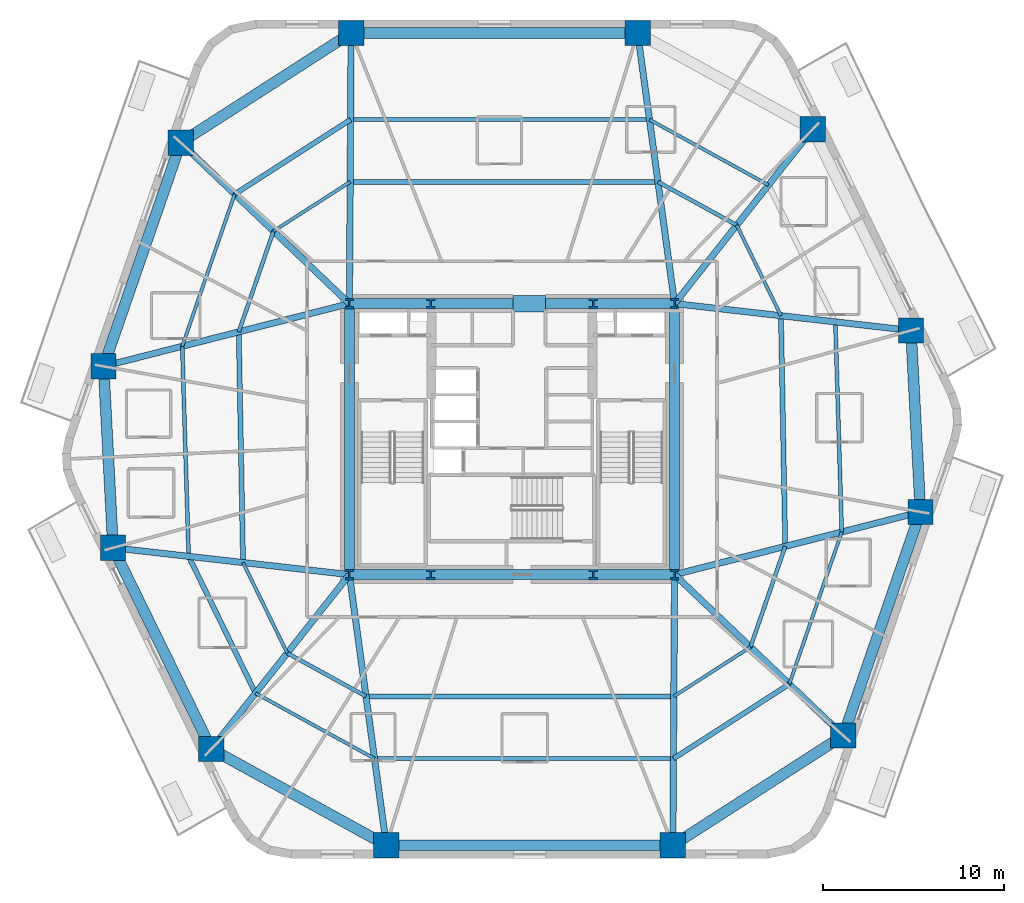
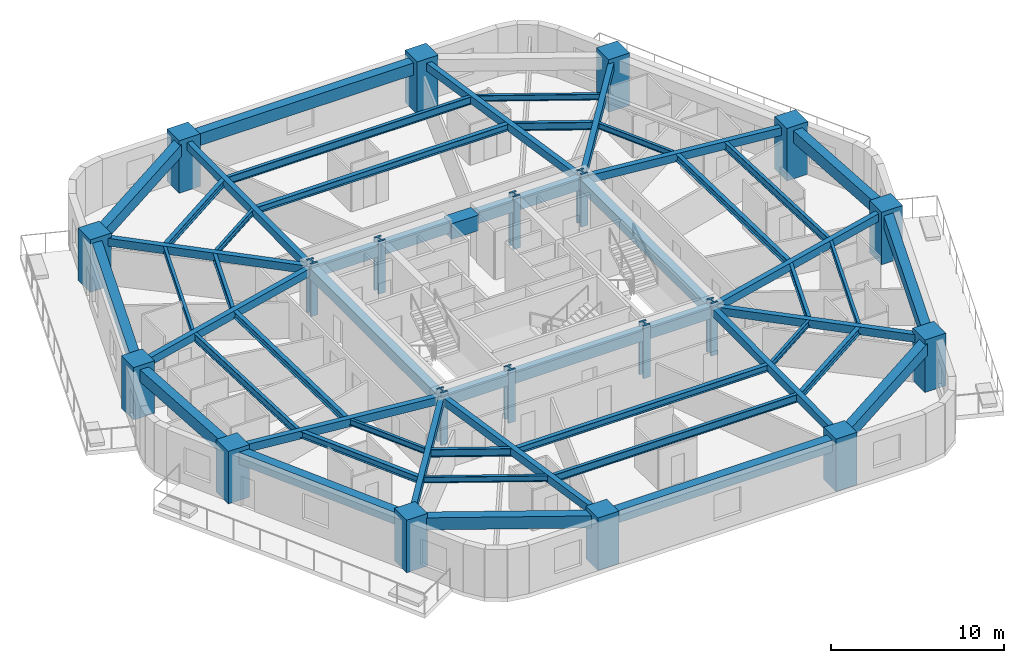
# One storey, part 1 of 10: 54 beams, 20 columns.
"""IFC4 building model written with IfcOpenShell, lengths in metres."""

import ifcopenshell
import ifcopenshell.guid

model = None  # the IFC model being written
_history = None  # IfcOwnerHistory: only IFC2X3 demands one
_inside = {}  # id of a spatial element -> (the spatial element, [elements in it])
_under = {}  # id of a project, library or spatial element -> (it, [spatial elements below it])
_declared = {}  # id of a project -> (the project, [libraries it declares])
_typed = {}  # id of a type object -> (the type object, [elements of that type])
_made_of = {}  # id of a material, layer set ... -> (it, [elements and type objects made of it])


def new_model(schema):
    """Start an empty IFC model of exactly this schema.

    Asked for "IFC4X3", IfcOpenShell would pick the latest addendum, in which some entities
    have other attributes; the version numbers below select the first issue.
    IFC2X3 requires an IfcOwnerHistory on every rooted entity: one is made here for all.
    """
    global model, _history
    if schema == "IFC4X3":
        model = ifcopenshell.file(schema_version=(4, 3, 0, 0))
    else:
        model = ifcopenshell.file(schema=schema)
    _inside.clear()
    _under.clear()
    _declared.clear()
    _typed.clear()
    _made_of.clear()
    _history = None
    if model.schema == "IFC2X3":
        org = make("IfcOrganization", Name="unknown")
        user = make(
            "IfcPersonAndOrganization",
            ThePerson=make("IfcPerson", FamilyName="unknown"),
            TheOrganization=org,
        )
        app = make(
            "IfcApplication",
            ApplicationDeveloper=org,
            Version="unknown",
            ApplicationFullName="unknown",
            ApplicationIdentifier="unknown",
        )
        _history = make(
            "IfcOwnerHistory",
            OwningUser=user,
            OwningApplication=app,
            ChangeAction="ADDED",
            CreationDate=0,
        )
    return model


def make(cls, **values):
    """One entity of the class cls with the attributes given. An attribute that is None is left unset."""
    return model.create_entity(
        cls, **{name: value for name, value in values.items() if value is not None}
    )


def rooted(cls, **values):
    """An entity with a GlobalId (a new one), such as an element, a storey or a relation."""
    return make(cls, GlobalId=ifcopenshell.guid.new(), OwnerHistory=_history, **values)


def si_unit(unit_type, name, prefix=None):
    """IfcSIUnit, for example si_unit("LENGTHUNIT", "METRE", prefix="MILLI")."""
    return make("IfcSIUnit", UnitType=unit_type, Prefix=prefix, Name=name)


def assignment(units):
    """IfcUnitAssignment: the units of a project."""
    return None if units is None else make("IfcUnitAssignment", Units=units)


def point(xyz):
    """IfcCartesianPoint."""
    return None if xyz is None else make("IfcCartesianPoint", Coordinates=xyz)


def direction(xyz):
    """IfcDirection."""
    return None if xyz is None else make("IfcDirection", DirectionRatios=xyz)


def frame(location, z_axis=None, x_axis=None):
    """IfcAxis2Placement3D, a coordinate frame: its origin and axes. An axis left out is left unset."""
    return make(
        "IfcAxis2Placement3D",
        Location=point(location),
        Axis=direction(z_axis),
        RefDirection=direction(x_axis),
    )


def frame_2d(location, x_axis=None):
    """IfcAxis2Placement2D, a coordinate frame in the plane: its origin and x axis."""
    return make(
        "IfcAxis2Placement2D", Location=point(location), RefDirection=direction(x_axis)
    )


def origin():
    """The frame at (0, 0, 0) with its axes left unset."""
    return frame((0.0, 0.0, 0.0))


def origin_2d():
    """The frame at (0, 0) in the plane with its x axis left unset."""
    return frame_2d((0.0, 0.0))


def place(relative_to, where):
    """IfcLocalPlacement: puts the frame where relative to a parent placement (None: the world)."""
    return make(
        "IfcLocalPlacement", PlacementRelTo=relative_to, RelativePlacement=where
    )


def context(
    kind, dimensions, precision=None, world=None, true_north=None, identifier=None
):
    """IfcGeometricRepresentationContext, for example the 3D "Model" context."""
    return make(
        "IfcGeometricRepresentationContext",
        ContextIdentifier=identifier,
        ContextType=kind,
        CoordinateSpaceDimension=dimensions,
        Precision=precision,
        WorldCoordinateSystem=world,
        TrueNorth=true_north,
    )


def subcontext(parent, identifier, kind, view, scale=None):
    """IfcGeometricRepresentationSubContext, for example "Body" below "Model"."""
    return make(
        "IfcGeometricRepresentationSubContext",
        ContextIdentifier=identifier,
        ContextType=kind,
        ParentContext=parent,
        TargetScale=scale,
        TargetView=view,
    )


def project(units=None, contexts=None):
    """IfcProject with its units and contexts."""
    return rooted(
        "IfcProject",
        Name="project",
        RepresentationContexts=contexts,
        UnitsInContext=assignment(units),
    )


def spatial(cls, under=None, at=None, **own):
    """A site, building, storey or space (cls), placed at a placement, below another one or the project."""
    s = rooted(cls, ObjectPlacement=at, **own)
    if under is not None:
        _under.setdefault(under.id(), (under, []))[1].append(s)
    return s


def profile(cls, at=None, kind="AREA", **sizes):
    """A parametric profile (cls). Its sizes go by their IFC names, for example OverallWidth=200.0."""
    return make(cls, ProfileType=kind, Position=at, **sizes)


def rectangle(**sizes):
    """IfcRectangleProfileDef."""
    return profile("IfcRectangleProfileDef", **sizes)


def i_section(**sizes):
    """IfcIShapeProfileDef."""
    return profile("IfcIShapeProfileDef", **sizes)


def extrude(swept, where, along, depth):
    """IfcExtrudedAreaSolid: the profile swept, set in the frame where, extruded along a direction by depth."""
    return make(
        "IfcExtrudedAreaSolid",
        SweptArea=swept,
        Position=where,
        ExtrudedDirection=direction(along),
        Depth=depth,
    )


def shape(context_of_items, identifier, shape_type, items):
    """IfcShapeRepresentation: the items that make up one representation, for example the "Body"."""
    return make(
        "IfcShapeRepresentation",
        ContextOfItems=context_of_items,
        RepresentationIdentifier=identifier,
        RepresentationType=shape_type,
        Items=items,
    )


def material(Name=None, Category=None):
    """IfcMaterial."""
    return make("IfcMaterial", Name=Name, Category=Category)


def material_profile(
    of_material, cross_section, Name=None, Category=None, Priority=None
):
    """IfcMaterialProfile: a cross section and its material."""
    return make(
        "IfcMaterialProfile",
        Name=Name,
        Material=of_material,
        Profile=cross_section,
        Priority=Priority,
        Category=Category,
    )


def profile_set(profiles, Name=None, composite=None):
    """IfcMaterialProfileSet."""
    return make(
        "IfcMaterialProfileSet",
        Name=Name,
        MaterialProfiles=profiles,
        CompositeProfile=composite,
    )


def made_of(thing, what):
    """Note that an element or type object is made of a material, layer set ...; save() writes the relation."""
    if what is not None:
        _made_of.setdefault(what.id(), (what, []))[1].append(thing)
    return thing


def type_object(cls, material=None, **own):
    """A type object (cls), such as IfcWallType, which elements share."""
    return made_of(rooted(cls, **own), material)


def element(
    cls,
    number,
    at=None,
    inside=None,
    cuts=None,
    type_object=None,
    material=None,
    context=None,
    identifier="Body",
    shape_type=None,
    held_by="IfcProductDefinitionShape",
    body=None,
    shapes=None,
    **own,
):
    """One element of the class cls, such as IfcWall. Its Tag is "e" and its number.

    at: its placement. inside: the storey or other place that contains it. cuts: it is an
    opening in that element (IfcRelVoidsElement). A single representation is given by context,
    identifier, shape_type and body (its items); several are given by shapes. held_by: the class
    of the entity that holds the representations. save() writes the other relations.
    """
    e = rooted(cls, Tag="e%d" % number, ObjectPlacement=at, **own)
    if body is not None:
        shapes = [shape(context, identifier, shape_type, body)]
    if shapes is not None:
        e.Representation = make(held_by, Representations=shapes)
    if inside is not None:
        _inside.setdefault(inside.id(), (inside, []))[1].append(e)
    if cuts is not None:
        rooted(
            "IfcRelVoidsElement", RelatingBuildingElement=cuts, RelatedOpeningElement=e
        )
    if type_object is not None:
        _typed.setdefault(type_object.id(), (type_object, []))[1].append(e)
    return made_of(e, material)


def aggregate(whole, parts):
    """IfcRelAggregates: a whole, such as a stair, and the parts it consists of."""
    return rooted("IfcRelAggregates", RelatingObject=whole, RelatedObjects=parts)


def save(model, path):
    """Write the relations noted so far, then the file.

    IfcRelAggregates (storeys below a building ...), IfcRelContainedInSpatialStructure (elements
    in a storey), IfcRelDefinesByType, IfcRelAssociatesMaterial and IfcRelDeclares: one each for
    every whole, place, type object, material and project.
    """
    for whole, parts in _under.values():
        aggregate(whole, parts)
    for where, things in _inside.values():
        rooted(
            "IfcRelContainedInSpatialStructure",
            RelatedElements=things,
            RelatingStructure=where,
        )
    for kind, things in _typed.values():
        rooted("IfcRelDefinesByType", RelatedObjects=things, RelatingType=kind)
    for what, things in _made_of.values():
        rooted("IfcRelAssociatesMaterial", RelatedObjects=things, RelatingMaterial=what)
    for by, libraries in _declared.values():
        rooted("IfcRelDeclares", RelatingContext=by, RelatedDefinitions=libraries)
    model.write(path)


model = new_model("IFC4")

# Units and contexts
model_context = context("Model", 3, precision=1e-05, world=origin(), true_north=direction((0.0, 1.0)))
body_context = subcontext(model_context, "Body", "Model", "MODEL_VIEW")
ifc_project = project(units=[si_unit("LENGTHUNIT", "METRE"), si_unit("AREAUNIT", "SQUARE_METRE"), si_unit("VOLUMEUNIT", "CUBIC_METRE"), si_unit("PLANEANGLEUNIT", "RADIAN"), si_unit("MASSUNIT", "GRAM", prefix="KILO")], contexts=[model_context])

# Site, building, storey
site_placement = place(None, origin())
site = spatial("IfcSite", under=ifc_project, at=site_placement, CompositionType="ELEMENT")
building_placement = place(site_placement, origin())
building = spatial("IfcBuilding", under=site, at=building_placement, Name="Kilnhurst Terrace Hotel", CompositionType="ELEMENT")
storey_placement = place(building_placement, frame((0.0, 0.0, 78.60009765625)))
storey = spatial("IfcBuildingStorey", under=building, at=storey_placement, Name="L18", CompositionType="ELEMENT", Elevation=78.60009765625)

# Columns
ifc_material_1 = material(Name="Concrete C80/95", Category="concrete")
ifc_material_profile_1 = material_profile(ifc_material_1, rectangle(XDim=1.39990234375, YDim=1.39990234375, at=origin_2d()), Name="RC1400X1400")
ifc_profile_set_1 = profile_set([ifc_material_profile_1], Name="Concrete C80/95")
column_type_1 = type_object("IfcColumnType", Name="COL-RC-1400", PredefinedType="COLUMN", material=ifc_profile_set_1)
for number, where, z_axis, x_axis, name in (
    (1, (-6.955078125, -22.47998046875, 0.0), (0.0, 0.0, 1.0), (1.0, 0.0, 0.0), "L18 Structural Column PC-F11"),
    (2, (8.905029296875, -22.47998046875, 0.0), (0.0, 0.0, 1.0), (1.0, 0.0, 0.0), "L18 Structural Column PC-F12"),
    (3, (18.337890625, -16.410888671875, 0.0), (0.0, 0.0, 1.0), (1.0, 0.0, 0.0), "L18 Structural Column PC-F21"),
    (4, (22.60888671875, -4.029052734375, 0.0), (0.0, 0.0, 1.0), (1.0, 0.0, 0.0), "L18 Structural Column PC-F22"),
    (5, (22.083984375, 6.013916015625, 0.0), (0.0, 0.0, 1.0), (1.0, 0.0, 0.0), "L18 Structural Column PC-F31"),
    (6, (16.64306640625, 17.152099609375, 0.0), (0.0, 0.0, 1.0), (1.0, 0.0, 0.0), "L18 Structural Column PC-F32"),
    (7, (6.955078125, 22.47998046875, 0.0), (0.0, 0.0, 1.0), (1.0, 0.0, 0.0), "L18 Structural Column PC-F41"),
    (8, (-8.905029296875, 22.47998046875, 0.0), (0.0, 0.0, 1.0), (1.0, 0.0, 0.0), "L18 Structural Column PC-F42"),
    (9, (-18.337890625, 16.410888671875, 0.0), (0.0, 0.0, 1.0), (1.0, 0.0, 0.0), "L18 Structural Column PC-F51"),
    (10, (-22.60888671875, 4.029052734375, 0.0), (0.0, 0.0, 1.0), (1.0, 0.0, 0.0), "L18 Structural Column PC-F52"),
    (11, (-22.083984375, -6.013916015625, 0.0), (0.0, 0.0, 1.0), (1.0, 0.0, 0.0), "L18 Structural Column PC-F61"),
    (12, (-16.64306640625, -17.152099609375, 0.0), (0.0, 0.0, 1.0), (1.0, 0.0, 0.0), "L18 Structural Column PC-F62"),
):
    element("IfcColumn", number, at=place(storey_placement, frame(where, z_axis=z_axis, x_axis=x_axis)), inside=storey, type_object=column_type_1, Name=name, PredefinedType="COLUMN", context=body_context, shape_type="SweptSolid", body=[
        extrude(rectangle(XDim=1.39990234375, YDim=1.39990234375, at=origin_2d()), origin(), (0.0, 0.0, 1.0), 3.699951171875),
    ])
ifc_material_2 = material(Name="Steel ASTM A992 Grade 50", Category="steel")
ifc_material_profile_2 = material_profile(ifc_material_2, i_section(OverallWidth=0.454345703125, OverallDepth=0.569091796875, WebThickness=0.077880859375, FlangeThickness=0.124755859375, at=origin_2d()), Name="W14X730")
ifc_profile_set_2 = profile_set([ifc_material_profile_2], Name="Steel ASTM A992 Grade 50")
column_type_2 = type_object("IfcColumnType", Name="COL-STL-W14X730", PredefinedType="COLUMN", material=ifc_profile_set_2)
for number, where, z_axis, x_axis, name in (
    (13, (-9.0, -7.5, 0.0), (0.0, 0.0, 1.0), (1.0, 0.0, 0.0), "L18 Structural Column CC-SW"),
    (14, (-4.5, -7.5, 0.0), (0.0, 0.0, 1.0), (1.0, 0.0, 0.0), "L18 Structural Column CC-SC1"),
    (15, (4.5, -7.5, 0.0), (0.0, 0.0, 1.0), (1.0, 0.0, 0.0), "L18 Structural Column CC-SC2"),
    (16, (9.0, -7.5, 0.0), (0.0, 0.0, 1.0), (1.0, 0.0, 0.0), "L18 Structural Column CC-SE"),
    (17, (9.0, 7.5, 0.0), (0.0, 0.0, 1.0), (1.0, 0.0, 0.0), "L18 Structural Column CC-NE"),
    (18, (4.5, 7.5, 0.0), (0.0, 0.0, 1.0), (1.0, 0.0, 0.0), "L18 Structural Column CC-NC2"),
    (19, (-4.5, 7.5, 0.0), (0.0, 0.0, 1.0), (1.0, 0.0, 0.0), "L18 Structural Column CC-NC1"),
    (20, (-9.0, 7.5, 0.0), (0.0, 0.0, 1.0), (1.0, 0.0, 0.0), "L18 Structural Column CC-NW"),
):
    element("IfcColumn", number, at=place(storey_placement, frame(where, z_axis=z_axis, x_axis=x_axis)), inside=storey, type_object=column_type_2, Name=name, PredefinedType="COLUMN", context=body_context, shape_type="SweptSolid", body=[
        extrude(i_section(OverallWidth=0.454345703125, OverallDepth=0.569091796875, WebThickness=0.077880859375, FlangeThickness=0.124755859375, at=origin_2d()), origin(), (0.0, 0.0, 1.0), 3.699951171875),
    ])

# Beams
ifc_material_3 = material(Name="Concrete C50/60", Category="concrete")
ifc_material_profile_3 = material_profile(ifc_material_3, rectangle(XDim=0.35009765625, YDim=0.550048828125, at=origin_2d()), Name="RC350X550")
ifc_profile_set_3 = profile_set([ifc_material_profile_3], Name="Concrete C50/60")
beam_type_1 = type_object("IfcBeamType", Name="BM-RAD-350X550", PredefinedType="BEAM", material=ifc_profile_set_3)
beam_1_placement = place(storey_placement, frame((-9.0, -7.5, 3.125), z_axis=(0.13525588246, -0.990810701527, 0.0), x_axis=(0.990810701527, 0.13525588246, 0.0)))
element("IfcBeam", 21, at=beam_1_placement, inside=storey, type_object=beam_type_1, Name="L18 Radial Floor Beam 1", PredefinedType="BEAM", context=body_context, shape_type="SweptSolid", body=[
    extrude(rectangle(XDim=0.35009765625, YDim=0.550048828125, at=origin_2d()), origin(), (0.0, 0.0, 1.0), 15.118896484375),
])
beam_2_placement = place(storey_placement, frame((9.0, -7.5, 3.125), z_axis=(-0.006339714179, -0.99997990381, 0.0), x_axis=(0.99997990381, -0.006339714179, 0.0)))
element("IfcBeam", 22, at=beam_2_placement, inside=storey, type_object=beam_type_1, Name="L18 Radial Floor Beam 2", PredefinedType="BEAM", context=body_context, shape_type="SweptSolid", body=[
    extrude(rectangle(XDim=0.35009765625, YDim=0.550048828125, at=origin_2d()), origin(), (0.0, 0.0, 1.0), 14.980224609375),
])
beam_3_placement = place(storey_placement, frame((9.0, -7.5, 3.125), z_axis=(0.723454302813, -0.690372270403, 0.0), x_axis=(0.690372270403, 0.723454302813, 0.0)))
element("IfcBeam", 23, at=beam_3_placement, inside=storey, type_object=beam_type_1, Name="L18 Radial Floor Beam 3", PredefinedType="BEAM", context=body_context, shape_type="SweptSolid", body=[
    extrude(rectangle(XDim=0.35009765625, YDim=0.550048828125, at=origin_2d()), origin(), (0.0, 0.0, 1.0), 12.907470703125),
])
beam_4_placement = place(storey_placement, frame((9.0, -7.5, 3.125), z_axis=(0.968980179812, 0.247138445273, 0.0), x_axis=(-0.247138445273, 0.968980179812, 0.0)))
element("IfcBeam", 24, at=beam_4_placement, inside=storey, type_object=beam_type_1, Name="L18 Radial Floor Beam 4", PredefinedType="BEAM", context=body_context, shape_type="SweptSolid", body=[
    extrude(rectangle(XDim=0.35009765625, YDim=0.550048828125, at=origin_2d()), origin(), (0.0, 0.0, 1.0), 14.04443359375),
])
beam_5_placement = place(storey_placement, frame((9.0, 7.5, 3.125), z_axis=(0.993611493249, -0.112854776075, 0.0), x_axis=(0.112854776075, 0.993611493249, 0.0)))
element("IfcBeam", 25, at=beam_5_placement, inside=storey, type_object=beam_type_1, Name="L18 Radial Floor Beam 5", PredefinedType="BEAM", context=body_context, shape_type="SweptSolid", body=[
    extrude(rectangle(XDim=0.35009765625, YDim=0.550048828125, at=origin_2d()), origin(), (0.0, 0.0, 1.0), 13.168212890625),
])
beam_6_placement = place(storey_placement, frame((9.0, 7.5, 3.125), z_axis=(0.62079385707, 0.783973843329, 0.0), x_axis=(-0.783973843329, 0.62079385707, 0.0)))
element("IfcBeam", 26, at=beam_6_placement, inside=storey, type_object=beam_type_1, Name="L18 Radial Floor Beam 6", PredefinedType="BEAM", context=body_context, shape_type="SweptSolid", body=[
    extrude(rectangle(XDim=0.35009765625, YDim=0.550048828125, at=origin_2d()), origin(), (0.0, 0.0, 1.0), 12.311767578125),
])
beam_7_placement = place(storey_placement, frame((9.0, 7.5, 3.125), z_axis=(-0.13525588246, 0.990810701527, 0.0), x_axis=(-0.990810701527, -0.13525588246, 0.0)))
element("IfcBeam", 27, at=beam_7_placement, inside=storey, type_object=beam_type_1, Name="L18 Radial Floor Beam 7", PredefinedType="BEAM", context=body_context, shape_type="SweptSolid", body=[
    extrude(rectangle(XDim=0.35009765625, YDim=0.550048828125, at=origin_2d()), origin(), (0.0, 0.0, 1.0), 15.118896484375),
])
beam_8_placement = place(storey_placement, frame((-9.0, 7.5, 3.125), z_axis=(0.006339714179, 0.99997990381, 0.0), x_axis=(-0.99997990381, 0.006339714179, 0.0)))
element("IfcBeam", 28, at=beam_8_placement, inside=storey, type_object=beam_type_1, Name="L18 Radial Floor Beam 8", PredefinedType="BEAM", context=body_context, shape_type="SweptSolid", body=[
    extrude(rectangle(XDim=0.35009765625, YDim=0.550048828125, at=origin_2d()), origin(), (0.0, 0.0, 1.0), 14.980224609375),
])
beam_9_placement = place(storey_placement, frame((-9.0, 7.5, 3.125), z_axis=(-0.723454302813, 0.690372270403, 0.0), x_axis=(-0.690372270403, -0.723454302813, 0.0)))
element("IfcBeam", 29, at=beam_9_placement, inside=storey, type_object=beam_type_1, Name="L18 Radial Floor Beam 9", PredefinedType="BEAM", context=body_context, shape_type="SweptSolid", body=[
    extrude(rectangle(XDim=0.35009765625, YDim=0.550048828125, at=origin_2d()), origin(), (0.0, 0.0, 1.0), 12.907470703125),
])
beam_10_placement = place(storey_placement, frame((-9.0, 7.5, 3.125), z_axis=(-0.968980179812, -0.247138445273, 0.0), x_axis=(0.247138445273, -0.968980179812, 0.0)))
element("IfcBeam", 30, at=beam_10_placement, inside=storey, type_object=beam_type_1, Name="L18 Radial Floor Beam 10", PredefinedType="BEAM", context=body_context, shape_type="SweptSolid", body=[
    extrude(rectangle(XDim=0.35009765625, YDim=0.550048828125, at=origin_2d()), origin(), (0.0, 0.0, 1.0), 14.04443359375),
])
beam_11_placement = place(storey_placement, frame((-9.0, -7.5, 3.125), z_axis=(-0.993611493249, 0.112854776075, 0.0), x_axis=(-0.112854776075, -0.993611493249, 0.0)))
element("IfcBeam", 31, at=beam_11_placement, inside=storey, type_object=beam_type_1, Name="L18 Radial Floor Beam 11", PredefinedType="BEAM", context=body_context, shape_type="SweptSolid", body=[
    extrude(rectangle(XDim=0.35009765625, YDim=0.550048828125, at=origin_2d()), origin(), (0.0, 0.0, 1.0), 13.168212890625),
])
beam_12_placement = place(storey_placement, frame((-9.0, -7.5, 3.125), z_axis=(-0.62079385707, -0.783973843329, 0.0), x_axis=(0.783973843329, -0.62079385707, 0.0)))
element("IfcBeam", 32, at=beam_12_placement, inside=storey, type_object=beam_type_1, Name="L18 Radial Floor Beam 12", PredefinedType="BEAM", context=body_context, shape_type="SweptSolid", body=[
    extrude(rectangle(XDim=0.35009765625, YDim=0.550048828125, at=origin_2d()), origin(), (0.0, 0.0, 1.0), 12.311767578125),
])
ifc_material_profile_4 = material_profile(ifc_material_3, rectangle(XDim=0.550048828125, YDim=0.75, at=origin_2d()), Name="RC550X750")
ifc_profile_set_4 = profile_set([ifc_material_profile_4], Name="Concrete C50/60")
beam_type_2 = type_object("IfcBeamType", Name="BM-SPN-550X750", PredefinedType="SPANDREL", material=ifc_profile_set_4)
beam_13_placement = place(storey_placement, frame((-9.0, 7.5, 3.02490234375), z_axis=(1.0, 0.0, 0.0), x_axis=(0.0, 1.0, 0.0)))
element("IfcBeam", 33, at=beam_13_placement, inside=storey, type_object=beam_type_2, Name="L18 Core Tie Beam CC-NW to CC-NC1", PredefinedType="SPANDREL", context=body_context, shape_type="SweptSolid", body=[
    extrude(rectangle(XDim=0.550048828125, YDim=0.75, at=origin_2d()), origin(), (0.0, 0.0, 1.0), 4.5),
])
beam_14_placement = place(storey_placement, frame((-4.5, 7.5, 3.02490234375), z_axis=(1.0, 0.0, 0.0), x_axis=(0.0, 1.0, 0.0)))
element("IfcBeam", 34, at=beam_14_placement, inside=storey, type_object=beam_type_2, Name="L18 Core Tie Beam CC-NC1 to CC-NC2", PredefinedType="SPANDREL", context=body_context, shape_type="SweptSolid", body=[
    extrude(rectangle(XDim=0.550048828125, YDim=0.75, at=origin_2d()), origin(), (0.0, 0.0, 1.0), 9.0),
])
for number, where, z_axis, x_axis, name in (
    (35, (4.5, 7.5, 3.02490234375), (1.0, 0.0, 0.0), (0.0, 1.0, 0.0), "L18 Core Tie Beam CC-NC2 to CC-NE"),
    (36, (-9.0, -7.5, 3.02490234375), (1.0, 0.0, 0.0), (0.0, 1.0, 0.0), "L18 Core Tie Beam CC-SW to CC-SC1"),
):
    element("IfcBeam", number, at=place(storey_placement, frame(where, z_axis=z_axis, x_axis=x_axis)), inside=storey, type_object=beam_type_2, Name=name, PredefinedType="SPANDREL", context=body_context, shape_type="SweptSolid", body=[
        extrude(rectangle(XDim=0.550048828125, YDim=0.75, at=origin_2d()), origin(), (0.0, 0.0, 1.0), 4.5),
    ])
beam_15_placement = place(storey_placement, frame((-4.5, -7.5, 3.02490234375), z_axis=(1.0, 0.0, 0.0), x_axis=(0.0, 1.0, 0.0)))
element("IfcBeam", 37, at=beam_15_placement, inside=storey, type_object=beam_type_2, Name="L18 Core Tie Beam CC-SC1 to CC-SC2", PredefinedType="SPANDREL", context=body_context, shape_type="SweptSolid", body=[
    extrude(rectangle(XDim=0.550048828125, YDim=0.75, at=origin_2d()), origin(), (0.0, 0.0, 1.0), 9.0),
])
beam_16_placement = place(storey_placement, frame((4.5, -7.5, 3.02490234375), z_axis=(1.0, 0.0, 0.0), x_axis=(0.0, 1.0, 0.0)))
element("IfcBeam", 38, at=beam_16_placement, inside=storey, type_object=beam_type_2, Name="L18 Core Tie Beam CC-SC2 to CC-SE", PredefinedType="SPANDREL", context=body_context, shape_type="SweptSolid", body=[
    extrude(rectangle(XDim=0.550048828125, YDim=0.75, at=origin_2d()), origin(), (0.0, 0.0, 1.0), 4.5),
])
for number, where, z_axis, x_axis, name in (
    (39, (-9.0, -7.5, 3.02490234375), (0.0, 1.0, 0.0), (-1.0, 0.0, 0.0), "L18 Core Tie Beam CC-SW to CC-NW"),
    (40, (9.0, -7.5, 3.02490234375), (0.0, 1.0, 0.0), (-1.0, 0.0, 0.0), "L18 Core Tie Beam CC-SE to CC-NE"),
):
    element("IfcBeam", number, at=place(storey_placement, frame(where, z_axis=z_axis, x_axis=x_axis)), inside=storey, type_object=beam_type_2, Name=name, PredefinedType="SPANDREL", context=body_context, shape_type="SweptSolid", body=[
        extrude(rectangle(XDim=0.550048828125, YDim=0.75, at=origin_2d()), origin(), (0.0, 0.0, 1.0), 15.0),
    ])
ifc_material_profile_5 = material_profile(ifc_material_3, rectangle(XDim=0.60009765625, YDim=0.85009765625, at=origin_2d()), Name="RC600X850")
ifc_profile_set_5 = profile_set([ifc_material_profile_5], Name="Concrete C50/60")
beam_type_3 = type_object("IfcBeamType", Name="BM-SPN-600X850", PredefinedType="SPANDREL", material=ifc_profile_set_5)
beam_17_placement = place(storey_placement, frame((-6.955078125, -22.47998046875, 2.974853515625), z_axis=(1.0, 0.0, 0.0), x_axis=(0.0, 1.0, 0.0)))
element("IfcBeam", 41, at=beam_17_placement, inside=storey, type_object=beam_type_3, Name="L18 Perimeter Spandrel Beam 1", PredefinedType="SPANDREL", context=body_context, shape_type="SweptSolid", body=[
    extrude(rectangle(XDim=0.60009765625, YDim=0.85009765625, at=origin_2d()), origin(), (0.0, 0.0, 1.0), 15.860107421875),
])
beam_18_placement = place(storey_placement, frame((8.905029296875, -22.47998046875, 2.974853515625), z_axis=(0.840971204873, 0.541079876335, 0.0), x_axis=(-0.541079876335, 0.840971204873, 0.0)))
element("IfcBeam", 42, at=beam_18_placement, inside=storey, type_object=beam_type_3, Name="L18 Perimeter Spandrel Beam 2", PredefinedType="SPANDREL", context=body_context, shape_type="SweptSolid", body=[
    extrude(rectangle(XDim=0.60009765625, YDim=0.85009765625, at=origin_2d()), origin(), (0.0, 0.0, 1.0), 11.216552734375),
])
beam_19_placement = place(storey_placement, frame((18.337890625, -16.410888671875, 2.974853515625), z_axis=(0.326086040191, 0.945340094565, 0.0), x_axis=(-0.945340094565, 0.326086040191, 0.0)))
element("IfcBeam", 43, at=beam_19_placement, inside=storey, type_object=beam_type_3, Name="L18 Perimeter Spandrel Beam 3", PredefinedType="SPANDREL", context=body_context, shape_type="SweptSolid", body=[
    extrude(rectangle(XDim=0.60009765625, YDim=0.85009765625, at=origin_2d()), origin(), (0.0, 0.0, 1.0), 13.09765625),
])
beam_20_placement = place(storey_placement, frame((22.60888671875, -4.029052734375, 2.974853515625), z_axis=(-0.052194414298, 0.998636942595, 0.0), x_axis=(-0.998636942595, -0.052194414298, 0.0)))
element("IfcBeam", 44, at=beam_20_placement, inside=storey, type_object=beam_type_3, Name="L18 Perimeter Spandrel Beam 4", PredefinedType="SPANDREL", context=body_context, shape_type="SweptSolid", body=[
    extrude(rectangle(XDim=0.60009765625, YDim=0.85009765625, at=origin_2d()), origin(), (0.0, 0.0, 1.0), 10.056640625),
])
beam_21_placement = place(storey_placement, frame((6.955078125, 22.47998046875, 2.974853515625), z_axis=(-1.0, 0.0, 0.0), x_axis=(0.0, -1.0, 0.0)))
element("IfcBeam", 45, at=beam_21_placement, inside=storey, type_object=beam_type_3, Name="L18 Perimeter Spandrel Beam 7", PredefinedType="SPANDREL", context=body_context, shape_type="SweptSolid", body=[
    extrude(rectangle(XDim=0.60009765625, YDim=0.85009765625, at=origin_2d()), origin(), (0.0, 0.0, 1.0), 15.860107421875),
])
beam_22_placement = place(storey_placement, frame((-8.905029296875, 22.47998046875, 2.974853515625), z_axis=(-0.840971204873, -0.541079876335, 0.0), x_axis=(0.541079876335, -0.840971204873, 0.0)))
element("IfcBeam", 46, at=beam_22_placement, inside=storey, type_object=beam_type_3, Name="L18 Perimeter Spandrel Beam 8", PredefinedType="SPANDREL", context=body_context, shape_type="SweptSolid", body=[
    extrude(rectangle(XDim=0.60009765625, YDim=0.85009765625, at=origin_2d()), origin(), (0.0, 0.0, 1.0), 11.216552734375),
])
beam_23_placement = place(storey_placement, frame((-18.337890625, 16.410888671875, 2.974853515625), z_axis=(-0.326086040191, -0.945340094565, 0.0), x_axis=(0.945340094565, -0.326086040191, 0.0)))
element("IfcBeam", 47, at=beam_23_placement, inside=storey, type_object=beam_type_3, Name="L18 Perimeter Spandrel Beam 9", PredefinedType="SPANDREL", context=body_context, shape_type="SweptSolid", body=[
    extrude(rectangle(XDim=0.60009765625, YDim=0.85009765625, at=origin_2d()), origin(), (0.0, 0.0, 1.0), 13.09765625),
])
beam_24_placement = place(storey_placement, frame((-22.60888671875, 4.029052734375, 2.974853515625), z_axis=(0.052194414298, -0.998636942595, 0.0), x_axis=(0.998636942595, 0.052194414298, 0.0)))
element("IfcBeam", 48, at=beam_24_placement, inside=storey, type_object=beam_type_3, Name="L18 Perimeter Spandrel Beam 10", PredefinedType="SPANDREL", context=body_context, shape_type="SweptSolid", body=[
    extrude(rectangle(XDim=0.60009765625, YDim=0.85009765625, at=origin_2d()), origin(), (0.0, 0.0, 1.0), 10.056640625),
])
beam_25_placement = place(storey_placement, frame((-22.083984375, -6.013916015625, 2.974853515625), z_axis=(0.438922573627, -0.898524888003, 0.0), x_axis=(0.898524888003, 0.438922573627, 0.0)))
element("IfcBeam", 49, at=beam_25_placement, inside=storey, type_object=beam_type_3, Name="L18 Perimeter Spandrel Beam 11", PredefinedType="SPANDREL", context=body_context, shape_type="SweptSolid", body=[
    extrude(rectangle(XDim=0.60009765625, YDim=0.85009765625, at=origin_2d()), origin(), (0.0, 0.0, 1.0), 12.39599609375),
])
beam_26_placement = place(storey_placement, frame((-16.64306640625, -17.152099609375, 2.974853515625), z_axis=(0.876235488803, -0.481883147829, 0.0), x_axis=(0.481883147829, 0.876235488803, 0.0)))
element("IfcBeam", 50, at=beam_26_placement, inside=storey, type_object=beam_type_3, Name="L18 Perimeter Spandrel Beam 12", PredefinedType="SPANDREL", context=body_context, shape_type="SweptSolid", body=[
    extrude(rectangle(XDim=0.60009765625, YDim=0.85009765625, at=origin_2d()), origin(), (0.0, 0.0, 1.0), 11.056396484375),
])
ifc_material_profile_6 = material_profile(ifc_material_2, i_section(OverallWidth=0.180908203125, OverallDepth=0.417236328125, WebThickness=0.010986328125, FlangeThickness=0.018310546875, at=origin_2d()), Name="W16X57")
ifc_profile_set_6 = profile_set([ifc_material_profile_6], Name="Steel ASTM A992 Grade 50")
beam_type_4 = type_object("IfcBeamType", Name="JST-STL-W16X57", PredefinedType="JOIST", material=ifc_profile_set_6)
beam_27_placement = place(storey_placement, frame((15.349853515625, -13.5595703125, 3.19091796875), z_axis=(0.326078536201, 0.945342682961, 0.0), x_axis=(-0.945342682961, 0.326078536201, 0.0)))
element("IfcBeam", 51, at=beam_27_placement, inside=storey, type_object=beam_type_4, Name="L18 Secondary Floor Steel Joist OUT.3", PredefinedType="JOIST", context=body_context, shape_type="SweptSolid", body=[
    extrude(i_section(OverallWidth=0.180908203125, OverallDepth=0.417236328125, WebThickness=0.010986328125, FlangeThickness=0.018310546875, at=origin_2d()), origin(), (0.0, 0.0, 1.0), 8.90673828125),
])
beam_28_placement = place(storey_placement, frame((14.197265625, 14.0634765625, 3.19091796875), z_axis=(-0.876246073632, 0.481863900334, 0.0), x_axis=(-0.481863900334, -0.876246073632, 0.0)))
element("IfcBeam", 52, at=beam_28_placement, inside=storey, type_object=beam_type_4, Name="L18 Secondary Floor Steel Joist OUT.6", PredefinedType="JOIST", context=body_context, shape_type="SweptSolid", body=[
    extrude(i_section(OverallWidth=0.180908203125, OverallDepth=0.417236328125, WebThickness=0.010986328125, FlangeThickness=0.018310546875, at=origin_2d()), origin(), (0.0, 0.0, 1.0), 7.518310546875),
])
beam_29_placement = place(storey_placement, frame((-15.349853515625, 13.5595703125, 3.19091796875), z_axis=(-0.326078536201, -0.945342682961, 0.0), x_axis=(0.945342682961, -0.326078536201, 0.0)))
element("IfcBeam", 53, at=beam_29_placement, inside=storey, type_object=beam_type_4, Name="L18 Secondary Floor Steel Joist OUT.9", PredefinedType="JOIST", context=body_context, shape_type="SweptSolid", body=[
    extrude(i_section(OverallWidth=0.180908203125, OverallDepth=0.417236328125, WebThickness=0.010986328125, FlangeThickness=0.018310546875, at=origin_2d()), origin(), (0.0, 0.0, 1.0), 8.90673828125),
])
beam_30_placement = place(storey_placement, frame((-14.197265625, -14.0634765625, 3.19091796875), z_axis=(0.876246073632, -0.481863900334, 0.0), x_axis=(0.481863900334, 0.876246073632, 0.0)))
element("IfcBeam", 54, at=beam_30_placement, inside=storey, type_object=beam_type_4, Name="L18 Secondary Floor Steel Joist OUT.12", PredefinedType="JOIST", context=body_context, shape_type="SweptSolid", body=[
    extrude(i_section(OverallWidth=0.180908203125, OverallDepth=0.417236328125, WebThickness=0.010986328125, FlangeThickness=0.018310546875, at=origin_2d()), origin(), (0.0, 0.0, 1.0), 7.518310546875),
])
beam_31_placement = place(storey_placement, frame((8.957275390625, -14.240966796875, 3.19091796875), z_axis=(0.840988265896, 0.541053358389, 0.0), x_axis=(-0.541053358389, 0.840988265896, 0.0)))
element("IfcBeam", 55, at=beam_31_placement, inside=storey, type_object=beam_type_4, Name="L18 Secondary Floor Steel Joist IN.2", PredefinedType="JOIST", context=body_context, shape_type="SweptSolid", body=[
    extrude(i_section(OverallWidth=0.180908203125, OverallDepth=0.417236328125, WebThickness=0.010986328125, FlangeThickness=0.018310546875, at=origin_2d()), origin(), (0.0, 0.0, 1.0), 5.04736328125),
])
beam_32_placement = place(storey_placement, frame((14.8876953125, 6.831298828125, 3.19091796875), z_axis=(-0.438896112695, 0.898537813484, 0.0), x_axis=(-0.898537813484, -0.438896112695, 0.0)))
element("IfcBeam", 56, at=beam_32_placement, inside=storey, type_object=beam_type_4, Name="L18 Secondary Floor Steel Joist IN.5", PredefinedType="JOIST", context=body_context, shape_type="SweptSolid", body=[
    extrude(i_section(OverallWidth=0.180908203125, OverallDepth=0.417236328125, WebThickness=0.010986328125, FlangeThickness=0.018310546875, at=origin_2d()), origin(), (0.0, 0.0, 1.0), 5.578125),
])
beam_33_placement = place(storey_placement, frame((-8.957275390625, 14.240966796875, 3.19091796875), z_axis=(-0.840988265896, -0.541053358389, 0.0), x_axis=(0.541053358389, -0.840988265896, 0.0)))
element("IfcBeam", 57, at=beam_33_placement, inside=storey, type_object=beam_type_4, Name="L18 Secondary Floor Steel Joist IN.8", PredefinedType="JOIST", context=body_context, shape_type="SweptSolid", body=[
    extrude(i_section(OverallWidth=0.180908203125, OverallDepth=0.417236328125, WebThickness=0.010986328125, FlangeThickness=0.018310546875, at=origin_2d()), origin(), (0.0, 0.0, 1.0), 5.04736328125),
])
beam_34_placement = place(storey_placement, frame((-14.8876953125, -6.831298828125, 3.19091796875), z_axis=(0.438896112695, -0.898537813484, 0.0), x_axis=(0.898537813484, 0.438896112695, 0.0)))
element("IfcBeam", 58, at=beam_34_placement, inside=storey, type_object=beam_type_4, Name="L18 Secondary Floor Steel Joist IN.11", PredefinedType="JOIST", context=body_context, shape_type="SweptSolid", body=[
    extrude(i_section(OverallWidth=0.180908203125, OverallDepth=0.417236328125, WebThickness=0.010986328125, FlangeThickness=0.018310546875, at=origin_2d()), origin(), (0.0, 0.0, 1.0), 5.578125),
])
ifc_material_profile_7 = material_profile(ifc_material_2, i_section(OverallWidth=0.279296875, OverallDepth=0.462890625, WebThickness=0.0107421875, FlangeThickness=0.017333984375, at=origin_2d()), Name="W18X76")
ifc_profile_set_7 = profile_set([ifc_material_profile_7], Name="Steel ASTM A992 Grade 50")
beam_type_5 = type_object("IfcBeamType", Name="JST-STL-W18X76", PredefinedType="JOIST", material=ifc_profile_set_7)
for number, where, z_axis, x_axis, name in (
    (59, (8.935302734375, -17.686279296875, 3.16796875), (0.840995388529, 0.54104228714, 0.0), (-0.54104228714, 0.840995388529, 0.0), "L18 Secondary Floor Steel Joist OUT.2"),
    (60, (-8.935302734375, 17.686279296875, 3.16796875), (-0.840995388529, -0.54104228714, 0.0), (0.54104228714, -0.840995388529, 0.0), "L18 Secondary Floor Steel Joist OUT.8"),
):
    element("IfcBeam", number, at=place(storey_placement, frame(where, z_axis=z_axis, x_axis=x_axis)), inside=storey, type_object=beam_type_5, Name=name, PredefinedType="JOIST", context=body_context, shape_type="SweptSolid", body=[
        extrude(i_section(OverallWidth=0.279296875, OverallDepth=0.462890625, WebThickness=0.0107421875, FlangeThickness=0.017333984375, at=origin_2d()), origin(), (0.0, 0.0, 1.0), 7.62744140625),
    ])
beam_35_placement = place(storey_placement, frame((-17.897216796875, -6.489501953125, 3.16796875), z_axis=(0.438934275949, -0.898519171413, 0.0), x_axis=(0.898519171413, 0.438934275949, 0.0)))
element("IfcBeam", 61, at=beam_35_placement, inside=storey, type_object=beam_type_5, Name="L18 Secondary Floor Steel Joist OUT.11", PredefinedType="JOIST", context=body_context, shape_type="SweptSolid", body=[
    extrude(i_section(OverallWidth=0.279296875, OverallDepth=0.462890625, WebThickness=0.0107421875, FlangeThickness=0.017333984375, at=origin_2d()), origin(), (0.0, 0.0, 1.0), 8.429443359375),
])
beam_36_placement = place(storey_placement, frame((-8.079833984375, -14.240966796875, 3.16796875), z_axis=(1.0, 0.0, 0.0), x_axis=(0.0, 1.0, 0.0)))
element("IfcBeam", 62, at=beam_36_placement, inside=storey, type_object=beam_type_5, Name="L18 Secondary Floor Steel Joist IN.1", PredefinedType="JOIST", context=body_context, shape_type="SweptSolid", body=[
    extrude(i_section(OverallWidth=0.279296875, OverallDepth=0.462890625, WebThickness=0.0107421875, FlangeThickness=0.017333984375, at=origin_2d()), origin(), (0.0, 0.0, 1.0), 17.037109375),
])
beam_37_placement = place(storey_placement, frame((15.1240234375, -5.93798828125, 3.16796875), z_axis=(-0.018504373716, 0.999828779418, 0.0), x_axis=(-0.999828779418, -0.018504373716, 0.0)))
element("IfcBeam", 63, at=beam_37_placement, inside=storey, type_object=beam_type_5, Name="L18 Secondary Floor Steel Joist IN.4", PredefinedType="JOIST", context=body_context, shape_type="SweptSolid", body=[
    extrude(i_section(OverallWidth=0.279296875, OverallDepth=0.462890625, WebThickness=0.0107421875, FlangeThickness=0.017333984375, at=origin_2d()), origin(), (0.0, 0.0, 1.0), 12.771484375),
])
beam_38_placement = place(storey_placement, frame((8.079833984375, 14.240966796875, 3.16796875), z_axis=(-1.0, 0.0, 0.0), x_axis=(0.0, -1.0, 0.0)))
element("IfcBeam", 64, at=beam_38_placement, inside=storey, type_object=beam_type_5, Name="L18 Secondary Floor Steel Joist IN.7", PredefinedType="JOIST", context=body_context, shape_type="SweptSolid", body=[
    extrude(i_section(OverallWidth=0.279296875, OverallDepth=0.462890625, WebThickness=0.0107421875, FlangeThickness=0.017333984375, at=origin_2d()), origin(), (0.0, 0.0, 1.0), 17.037109375),
])
beam_39_placement = place(storey_placement, frame((-15.1240234375, 5.93798828125, 3.16796875), z_axis=(0.018504373716, -0.999828779418, 0.0), x_axis=(0.999828779418, 0.018504373716, 0.0)))
element("IfcBeam", 65, at=beam_39_placement, inside=storey, type_object=beam_type_5, Name="L18 Secondary Floor Steel Joist IN.10", PredefinedType="JOIST", context=body_context, shape_type="SweptSolid", body=[
    extrude(i_section(OverallWidth=0.279296875, OverallDepth=0.462890625, WebThickness=0.0107421875, FlangeThickness=0.017333984375, at=origin_2d()), origin(), (0.0, 0.0, 1.0), 12.771484375),
])
ifc_material_profile_8 = material_profile(ifc_material_2, i_section(OverallWidth=0.2138671875, OverallDepth=0.549072265625, WebThickness=0.0146484375, FlangeThickness=0.023681640625, at=origin_2d()), Name="W21X93")
ifc_profile_set_8 = profile_set([ifc_material_profile_8], Name="Steel ASTM A992 Grade 50")
beam_type_6 = type_object("IfcBeamType", Name="JST-STL-W21X93", PredefinedType="JOIST", material=ifc_profile_set_8)
beam_40_placement = place(storey_placement, frame((-7.609375, -17.686279296875, 3.125), z_axis=(1.0, 0.0, 0.0), x_axis=(0.0, 1.0, 0.0)))
element("IfcBeam", 66, at=beam_40_placement, inside=storey, type_object=beam_type_6, Name="L18 Secondary Floor Steel Joist OUT.1", PredefinedType="JOIST", context=body_context, shape_type="SweptSolid", body=[
    extrude(i_section(OverallWidth=0.2138671875, OverallDepth=0.549072265625, WebThickness=0.0146484375, FlangeThickness=0.023681640625, at=origin_2d()), origin(), (0.0, 0.0, 1.0), 16.544677734375),
])
beam_41_placement = place(storey_placement, frame((18.254150390625, -5.1396484375, 3.125), z_axis=(-0.030678559818, 0.999529302206, 0.0), x_axis=(-0.999529302206, -0.030678559818, 0.0)))
element("IfcBeam", 67, at=beam_41_placement, inside=storey, type_object=beam_type_6, Name="L18 Secondary Floor Steel Joist OUT.4", PredefinedType="JOIST", context=body_context, shape_type="SweptSolid", body=[
    extrude(i_section(OverallWidth=0.2138671875, OverallDepth=0.549072265625, WebThickness=0.0146484375, FlangeThickness=0.023681640625, at=origin_2d()), origin(), (0.0, 0.0, 1.0), 11.634521484375),
])
beam_42_placement = place(storey_placement, frame((7.609375, 17.686279296875, 3.125), z_axis=(-1.0, 0.0, 0.0), x_axis=(0.0, -1.0, 0.0)))
element("IfcBeam", 68, at=beam_42_placement, inside=storey, type_object=beam_type_6, Name="L18 Secondary Floor Steel Joist OUT.7", PredefinedType="JOIST", context=body_context, shape_type="SweptSolid", body=[
    extrude(i_section(OverallWidth=0.2138671875, OverallDepth=0.549072265625, WebThickness=0.0146484375, FlangeThickness=0.023681640625, at=origin_2d()), origin(), (0.0, 0.0, 1.0), 16.544677734375),
])
beam_43_placement = place(storey_placement, frame((-18.254150390625, 5.1396484375, 3.125), z_axis=(0.030678559818, -0.999529302206, 0.0), x_axis=(0.999529302206, 0.030678559818, 0.0)))
element("IfcBeam", 69, at=beam_43_placement, inside=storey, type_object=beam_type_6, Name="L18 Secondary Floor Steel Joist OUT.10", PredefinedType="JOIST", context=body_context, shape_type="SweptSolid", body=[
    extrude(i_section(OverallWidth=0.2138671875, OverallDepth=0.549072265625, WebThickness=0.0146484375, FlangeThickness=0.023681640625, at=origin_2d()), origin(), (0.0, 0.0, 1.0), 11.634521484375),
])
beam_44_placement = place(storey_placement, frame((13.2021484375, -11.510009765625, 3.125), z_axis=(0.326064720391, 0.945347448358, 0.0), x_axis=(-0.945347448358, 0.326064720391, 0.0)))
element("IfcBeam", 70, at=beam_44_placement, inside=storey, type_object=beam_type_6, Name="L18 Secondary Floor Steel Joist IN.3", PredefinedType="JOIST", context=body_context, shape_type="SweptSolid", body=[
    extrude(i_section(OverallWidth=0.2138671875, OverallDepth=0.549072265625, WebThickness=0.0146484375, FlangeThickness=0.023681640625, at=origin_2d()), origin(), (0.0, 0.0, 1.0), 5.89404296875),
])
beam_45_placement = place(storey_placement, frame((12.439453125, 11.843505859375, 3.125), z_axis=(-0.876243879955, 0.481867889408, 0.0), x_axis=(-0.481867889408, -0.876243879955, 0.0)))
element("IfcBeam", 71, at=beam_45_placement, inside=storey, type_object=beam_type_6, Name="L18 Secondary Floor Steel Joist IN.6", PredefinedType="JOIST", context=body_context, shape_type="SweptSolid", body=[
    extrude(i_section(OverallWidth=0.2138671875, OverallDepth=0.549072265625, WebThickness=0.0146484375, FlangeThickness=0.023681640625, at=origin_2d()), origin(), (0.0, 0.0, 1.0), 4.975341796875),
])
beam_46_placement = place(storey_placement, frame((-13.2021484375, 11.510009765625, 3.125), z_axis=(-0.326064720391, -0.945347448358, 0.0), x_axis=(0.945347448358, -0.326064720391, 0.0)))
element("IfcBeam", 72, at=beam_46_placement, inside=storey, type_object=beam_type_6, Name="L18 Secondary Floor Steel Joist IN.9", PredefinedType="JOIST", context=body_context, shape_type="SweptSolid", body=[
    extrude(i_section(OverallWidth=0.2138671875, OverallDepth=0.549072265625, WebThickness=0.0146484375, FlangeThickness=0.023681640625, at=origin_2d()), origin(), (0.0, 0.0, 1.0), 5.89404296875),
])
beam_47_placement = place(storey_placement, frame((-12.439453125, -11.843505859375, 3.125), z_axis=(0.876243879955, -0.481867889408, 0.0), x_axis=(0.481867889408, 0.876243879955, 0.0)))
element("IfcBeam", 73, at=beam_47_placement, inside=storey, type_object=beam_type_6, Name="L18 Secondary Floor Steel Joist IN.12", PredefinedType="JOIST", context=body_context, shape_type="SweptSolid", body=[
    extrude(i_section(OverallWidth=0.2138671875, OverallDepth=0.549072265625, WebThickness=0.0146484375, FlangeThickness=0.023681640625, at=origin_2d()), origin(), (0.0, 0.0, 1.0), 4.975341796875),
])
ifc_material_profile_9 = material_profile(ifc_material_1, rectangle(XDim=0.89990234375, YDim=1.10009765625, at=origin_2d()), Name="RC900X1100")
ifc_profile_set_9 = profile_set([ifc_material_profile_9], Name="Concrete C80/95")
beam_type_7 = type_object("IfcBeamType", Name="LNT-CB-900X1100", PredefinedType="LINTEL", material=ifc_profile_set_9)
beam_48_placement = place(storey_placement, frame((0.050048828125, 7.5, 2.849853515625), z_axis=(1.0, 0.0, 0.0), x_axis=(0.0, 1.0, 0.0)))
element("IfcBeam", 74, at=beam_48_placement, inside=storey, type_object=beam_type_7, Name="L18 North Core Coupling Link Beam", PredefinedType="LINTEL", context=body_context, shape_type="SweptSolid", body=[
    extrude(rectangle(XDim=0.89990234375, YDim=1.10009765625, at=origin_2d()), origin(), (0.0, 0.0, 1.0), 1.800048828125),
])

save(model, "model.ifc")
